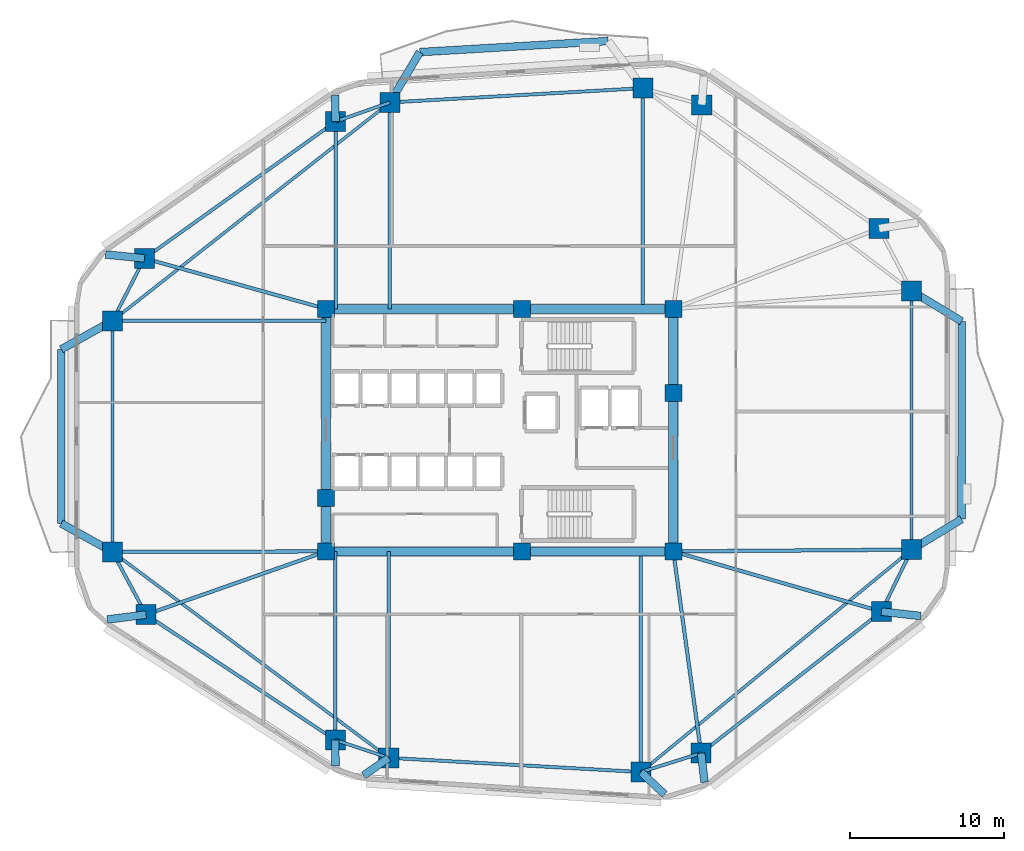
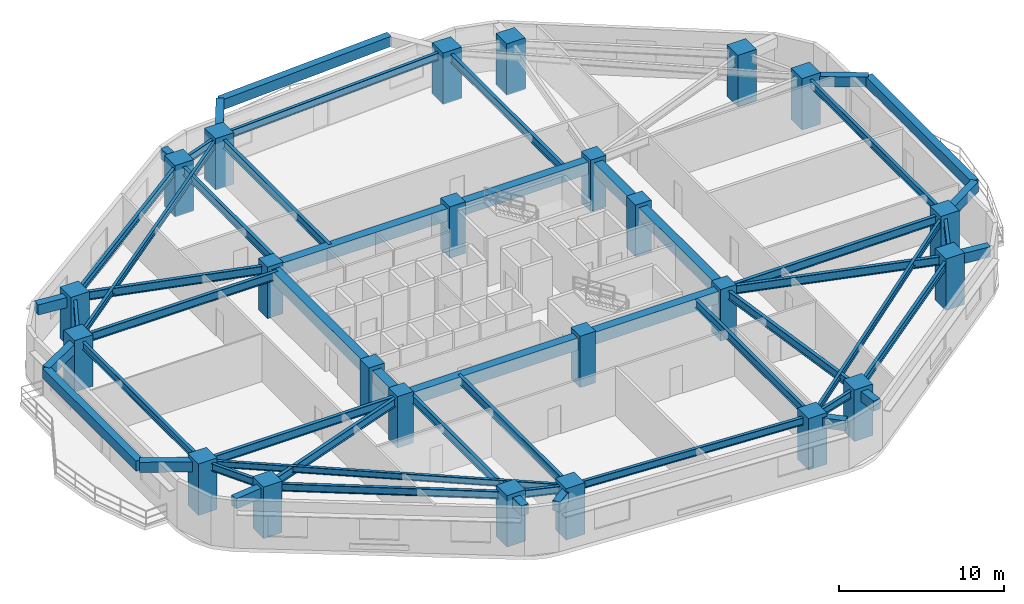
# One storey, part 1 of 9: 53 beams, 24 columns.
"""IFC4 building model written with IfcOpenShell, lengths in metres."""

from ifc_helpers import new_model, si_unit, direction, frame, origin, origin_2d, place, context, subcontext, project, spatial, rectangle, i_section, extrude, material, material_profile, profile_set, type_object, element, save


model = new_model("IFC4")

# Units and contexts
model_context = context("Model", 3, precision=1e-05, world=origin(), true_north=direction((0.0, 1.0)))
body_context = subcontext(model_context, "Body", "Model", "MODEL_VIEW")
ifc_project = project(units=[si_unit("LENGTHUNIT", "METRE"), si_unit("AREAUNIT", "SQUARE_METRE"), si_unit("VOLUMEUNIT", "CUBIC_METRE"), si_unit("PLANEANGLEUNIT", "RADIAN"), si_unit("MASSUNIT", "GRAM", prefix="KILO")], contexts=[model_context])

# Site, building, storey
site_placement = place(None, origin())
site = spatial("IfcSite", under=ifc_project, at=site_placement, CompositionType="ELEMENT")
building_placement = place(site_placement, origin())
building = spatial("IfcBuilding", under=site, at=building_placement, Name="Zulverin Broadcast Headquarters", CompositionType="ELEMENT")
storey_placement = place(building_placement, frame((0.0, 0.0, 63.0)))
storey = spatial("IfcBuildingStorey", under=building, at=storey_placement, Name="L15", CompositionType="ELEMENT", Elevation=63.0)

# Columns
ifc_material_1 = material(Name="Concrete C60/75", Category="concrete")
ifc_material_profile_1 = material_profile(ifc_material_1, rectangle(XDim=1.300048828125, YDim=1.300048828125, at=origin_2d()), Name="Concrete C60/75", Category="concrete")
ifc_profile_set_1 = profile_set([ifc_material_profile_1], Name="Concrete C60/75")
column_type_1 = type_object("IfcColumnType", Name="COL-RC-1300", PredefinedType="COLUMN", material=ifc_profile_set_1)
for number, where, z_axis, x_axis, name in (
    (1, (29.79638671875, 3.922119140625, 0.0), (0.0, 0.0, 1.0), (1.0, 0.0, 0.0), "L15 Perimeter Column T01"),
    (2, (46.175048828125, 2.997802734375, 0.0), (0.0, 0.0, 1.0), (1.0, 0.0, 0.0), "L15 Perimeter Column T02"),
    (3, (50.08056640625, 4.22509765625, 0.0), (0.0, 0.0, 1.0), (1.0, 0.0, 0.0), "L15 Perimeter Column T03"),
    (4, (61.79296875, 13.416259765625, 0.0), (0.0, 0.0, 1.0), (1.0, 0.0, 0.0), "L15 Perimeter Column T04"),
    (5, (63.75, 17.439697265625, 0.0), (0.0, 0.0, 1.0), (1.0, 0.0, 0.0), "L15 Perimeter Column T05"),
    (6, (63.75, 34.235107421875, 0.0), (0.0, 0.0, 1.0), (1.0, 0.0, 0.0), "L15 Perimeter Column T06"),
    (7, (61.630126953125, 38.298583984375, 0.0), (0.0, 0.0, 1.0), (1.0, 0.0, 0.0), "L15 Perimeter Column T07"),
    (8, (50.121826171875, 46.325927734375, 0.0), (0.0, 0.0, 1.0), (1.0, 0.0, 0.0), "L15 Perimeter Column T08"),
    (9, (46.30224609375, 47.4091796875, 0.0), (0.0, 0.0, 1.0), (1.0, 0.0, 0.0), "L15 Perimeter Column T09"),
    (10, (29.873779296875, 46.482177734375, 0.0), (0.0, 0.0, 1.0), (1.0, 0.0, 0.0), "L15 Perimeter Column T10"),
    (11, (26.344482421875, 45.23828125, 0.0), (0.0, 0.0, 1.0), (1.0, 0.0, 0.0), "L15 Perimeter Column T11"),
    (12, (13.934326171875, 36.353759765625, 0.0), (0.0, 0.0, 1.0), (1.0, 0.0, 0.0), "L15 Perimeter Column T12"),
    (13, (11.85009765625, 32.298095703125, 0.0), (0.0, 0.0, 1.0), (1.0, 0.0, 0.0), "L15 Perimeter Column T13"),
    (14, (11.85009765625, 17.297607421875, 0.0), (0.0, 0.0, 1.0), (1.0, 0.0, 0.0), "L15 Perimeter Column T14"),
    (15, (14.0390625, 13.219970703125, 0.0), (0.0, 0.0, 1.0), (1.0, 0.0, 0.0), "L15 Perimeter Column T15"),
    (16, (26.3251953125, 5.075927734375, 0.0), (0.0, 0.0, 1.0), (1.0, 0.0, 0.0), "L15 Perimeter Column T16"),
):
    element("IfcColumn", number, at=place(storey_placement, frame(where, z_axis=z_axis, x_axis=x_axis)), inside=storey, type_object=column_type_1, Name=name, PredefinedType="COLUMN", context=body_context, shape_type="SweptSolid", body=[
        extrude(rectangle(XDim=1.300048828125, YDim=1.300048828125, at=origin_2d()), origin(), (0.0, 0.0, 1.0), 3.800048828125),
    ])
ifc_material_profile_2 = material_profile(ifc_material_1, rectangle(XDim=1.10009765625, YDim=1.10009765625, at=origin_2d()), Name="Concrete C60/75", Category="concrete")
ifc_profile_set_2 = profile_set([ifc_material_profile_2], Name="Concrete C60/75")
column_type_2 = type_object("IfcColumnType", Name="PIL-RC-1100", PredefinedType="PILASTER", material=ifc_profile_set_2)
for number, where, z_axis, x_axis, name in (
    (17, (25.72509765625, 17.324951171875, 0.0), (0.0, 0.0, 1.0), (1.0, 0.0, 0.0), "L15 Core Pilaster K01"),
    (18, (38.449951171875, 17.324951171875, 0.0), (0.0, 0.0, 1.0), (1.0, 0.0, 0.0), "L15 Core Pilaster K02"),
    (19, (48.27490234375, 17.324951171875, 0.0), (0.0, 0.0, 1.0), (1.0, 0.0, 0.0), "L15 Core Pilaster K03"),
    (20, (48.27490234375, 27.6201171875, 0.0), (0.0, 0.0, 1.0), (1.0, 0.0, 0.0), "L15 Core Pilaster K04"),
    (21, (48.27490234375, 33.074951171875, 0.0), (0.0, 0.0, 1.0), (1.0, 0.0, 0.0), "L15 Core Pilaster K05"),
    (22, (38.449951171875, 33.074951171875, 0.0), (0.0, 0.0, 1.0), (1.0, 0.0, 0.0), "L15 Core Pilaster K06"),
    (23, (25.72509765625, 33.074951171875, 0.0), (0.0, 0.0, 1.0), (1.0, 0.0, 0.0), "L15 Core Pilaster K07"),
    (24, (25.72509765625, 20.800048828125, 0.0), (0.0, 0.0, 1.0), (1.0, 0.0, 0.0), "L15 Core Pilaster K08"),
):
    element("IfcColumn", number, at=place(storey_placement, frame(where, z_axis=z_axis, x_axis=x_axis)), inside=storey, type_object=column_type_2, Name=name, PredefinedType="PILASTER", context=body_context, shape_type="SweptSolid", body=[
        extrude(rectangle(XDim=1.10009765625, YDim=1.10009765625, at=origin_2d()), origin(), (0.0, 0.0, 1.0), 3.800048828125),
    ])

# Beams
ifc_material_profile_3 = material_profile(ifc_material_1, rectangle(XDim=0.60009765625, YDim=0.89990234375, at=origin_2d()), Name="Concrete C60/75", Category="concrete")
ifc_profile_set_3 = profile_set([ifc_material_profile_3], Name="Concrete C60/75")
beam_type_1 = type_object("IfcBeamType", Name="BM-CB-600x900", PredefinedType="LINTEL", material=ifc_profile_set_3)
beam_1_placement = place(storey_placement, frame((25.72509765625, 17.324951171875, 3.074951171875), z_axis=(1.0, 0.0, 0.0), x_axis=(0.0, 1.0, 0.0)))
element("IfcBeam", 25, at=beam_1_placement, inside=storey, type_object=beam_type_1, Name="L15 Core Coupling Girder K01-K02", PredefinedType="LINTEL", context=body_context, shape_type="SweptSolid", body=[
    extrude(rectangle(XDim=0.60009765625, YDim=0.89990234375, at=origin_2d()), origin(), (0.0, 0.0, 1.0), 12.724853515625),
])
beam_2_placement = place(storey_placement, frame((38.449951171875, 17.324951171875, 3.074951171875), z_axis=(1.0, 0.0, 0.0), x_axis=(0.0, 1.0, 0.0)))
element("IfcBeam", 26, at=beam_2_placement, inside=storey, type_object=beam_type_1, Name="L15 Core Coupling Girder K02-K03", PredefinedType="LINTEL", context=body_context, shape_type="SweptSolid", body=[
    extrude(rectangle(XDim=0.60009765625, YDim=0.89990234375, at=origin_2d()), origin(), (0.0, 0.0, 1.0), 9.824951171875),
])
beam_3_placement = place(storey_placement, frame((48.27490234375, 17.324951171875, 3.074951171875), z_axis=(0.0, 1.0, 0.0), x_axis=(-1.0, 0.0, 0.0)))
element("IfcBeam", 27, at=beam_3_placement, inside=storey, type_object=beam_type_1, Name="L15 Core Coupling Girder K03-K04", PredefinedType="LINTEL", context=body_context, shape_type="SweptSolid", body=[
    extrude(rectangle(XDim=0.60009765625, YDim=0.89990234375, at=origin_2d()), origin(), (0.0, 0.0, 1.0), 10.295166015625),
])
beam_4_placement = place(storey_placement, frame((48.27490234375, 27.6201171875, 3.074951171875), z_axis=(0.0, 1.0, 0.0), x_axis=(-1.0, 0.0, 0.0)))
element("IfcBeam", 28, at=beam_4_placement, inside=storey, type_object=beam_type_1, Name="L15 Core Coupling Girder K04-K05", PredefinedType="LINTEL", context=body_context, shape_type="SweptSolid", body=[
    extrude(rectangle(XDim=0.60009765625, YDim=0.89990234375, at=origin_2d()), origin(), (0.0, 0.0, 1.0), 5.454833984375),
])
beam_5_placement = place(storey_placement, frame((48.27490234375, 33.074951171875, 3.074951171875), z_axis=(-1.0, 0.0, 0.0), x_axis=(0.0, -1.0, 0.0)))
element("IfcBeam", 29, at=beam_5_placement, inside=storey, type_object=beam_type_1, Name="L15 Core Coupling Girder K05-K06", PredefinedType="LINTEL", context=body_context, shape_type="SweptSolid", body=[
    extrude(rectangle(XDim=0.60009765625, YDim=0.89990234375, at=origin_2d()), origin(), (0.0, 0.0, 1.0), 9.824951171875),
])
beam_6_placement = place(storey_placement, frame((38.449951171875, 33.074951171875, 3.074951171875), z_axis=(-1.0, 0.0, 0.0), x_axis=(0.0, -1.0, 0.0)))
element("IfcBeam", 30, at=beam_6_placement, inside=storey, type_object=beam_type_1, Name="L15 Core Coupling Girder K06-K07", PredefinedType="LINTEL", context=body_context, shape_type="SweptSolid", body=[
    extrude(rectangle(XDim=0.60009765625, YDim=0.89990234375, at=origin_2d()), origin(), (0.0, 0.0, 1.0), 12.724853515625),
])
beam_7_placement = place(storey_placement, frame((25.72509765625, 33.074951171875, 3.074951171875), z_axis=(0.0, -1.0, 0.0), x_axis=(1.0, 0.0, 0.0)))
element("IfcBeam", 31, at=beam_7_placement, inside=storey, type_object=beam_type_1, Name="L15 Core Coupling Girder K07-K08", PredefinedType="LINTEL", context=body_context, shape_type="SweptSolid", body=[
    extrude(rectangle(XDim=0.60009765625, YDim=0.89990234375, at=origin_2d()), origin(), (0.0, 0.0, 1.0), 12.27490234375),
])
beam_8_placement = place(storey_placement, frame((25.72509765625, 20.800048828125, 3.074951171875), z_axis=(0.0, -1.0, 0.0), x_axis=(1.0, 0.0, 0.0)))
element("IfcBeam", 32, at=beam_8_placement, inside=storey, type_object=beam_type_1, Name="L15 Core Coupling Girder K08-K01", PredefinedType="LINTEL", context=body_context, shape_type="SweptSolid", body=[
    extrude(rectangle(XDim=0.60009765625, YDim=0.89990234375, at=origin_2d()), origin(), (0.0, 0.0, 1.0), 3.47509765625),
])
ifc_material_2 = material(Name="Concrete C40/50", Category="concrete")
ifc_material_profile_4 = material_profile(ifc_material_2, rectangle(XDim=0.5, YDim=0.75, at=origin_2d()), Name="Concrete C40/50", Category="concrete")
ifc_profile_set_4 = profile_set([ifc_material_profile_4], Name="Concrete C40/50")
beam_type_2 = type_object("IfcBeamType", Name="BM-RC-500x750", PredefinedType="BEAM", material=ifc_profile_set_4)
beam_9_placement = place(storey_placement, frame((29.79638671875, 3.922119140625, 3.14990234375), z_axis=(-0.817789251944, -0.575517801119, 0.0), x_axis=(0.575517801119, -0.817789251944, 0.0)))
element("IfcBeam", 33, at=beam_9_placement, inside=storey, type_object=beam_type_2, Name="L16 Plate Overhang Back-Spanned Beam OVR-01", PredefinedType="BEAM", context=body_context, shape_type="SweptSolid", body=[
    extrude(rectangle(XDim=0.5, YDim=0.75, at=origin_2d()), origin(), (0.0, 0.0, 1.0), 1.983154296875),
])
beam_10_placement = place(storey_placement, frame((46.175048828125, 2.997802734375, 3.14990234375), z_axis=(0.727711332613, -0.685883529754, 0.0), x_axis=(0.685883529754, 0.727711332613, 0.0)))
element("IfcBeam", 34, at=beam_10_placement, inside=storey, type_object=beam_type_2, Name="L16 Plate Overhang Back-Spanned Beam OVR-02", PredefinedType="BEAM", context=body_context, shape_type="SweptSolid", body=[
    extrude(rectangle(XDim=0.5, YDim=0.75, at=origin_2d()), origin(), (0.0, 0.0, 1.0), 2.113037109375),
])
beam_11_placement = place(storey_placement, frame((50.08056640625, 4.22509765625, 3.14990234375), z_axis=(0.115916621896, -0.99325894749, 0.0), x_axis=(0.99325894749, 0.115916621896, 0.0)))
element("IfcBeam", 35, at=beam_11_placement, inside=storey, type_object=beam_type_2, Name="L16 Plate Overhang Back-Spanned Beam OVR-03", PredefinedType="BEAM", context=body_context, shape_type="SweptSolid", body=[
    extrude(rectangle(XDim=0.5, YDim=0.75, at=origin_2d()), origin(), (0.0, 0.0, 1.0), 1.899658203125),
])
beam_12_placement = place(storey_placement, frame((61.79296875, 13.416259765625, 3.14990234375), z_axis=(0.993797661948, -0.111203449166, 0.0), x_axis=(0.111203449166, 0.993797661948, 0.0)))
element("IfcBeam", 36, at=beam_12_placement, inside=storey, type_object=beam_type_2, Name="L16 Plate Overhang Back-Spanned Beam OVR-04", PredefinedType="BEAM", context=body_context, shape_type="SweptSolid", body=[
    extrude(rectangle(XDim=0.5, YDim=0.75, at=origin_2d()), origin(), (0.0, 0.0, 1.0), 2.568603515625),
])
beam_13_placement = place(storey_placement, frame((26.344482421875, 45.23828125, 3.14990234375), z_axis=(-0.025024345209, 0.999686842039, 0.0), x_axis=(-0.999686842039, -0.025024345209, 0.0)))
element("IfcBeam", 37, at=beam_13_placement, inside=storey, type_object=beam_type_2, Name="L16 Plate Overhang Back-Spanned Beam OVR-11", PredefinedType="BEAM", context=body_context, shape_type="SweptSolid", body=[
    extrude(rectangle(XDim=0.5, YDim=0.75, at=origin_2d()), origin(), (0.0, 0.0, 1.0), 1.707275390625),
])
beam_14_placement = place(storey_placement, frame((13.934326171875, 36.353759765625, 3.14990234375), z_axis=(-0.995008621602, 0.09978899207, 0.0), x_axis=(-0.09978899207, -0.995008621602, 0.0)))
element("IfcBeam", 38, at=beam_14_placement, inside=storey, type_object=beam_type_2, Name="L16 Plate Overhang Back-Spanned Beam OVR-12", PredefinedType="BEAM", context=body_context, shape_type="SweptSolid", body=[
    extrude(rectangle(XDim=0.5, YDim=0.75, at=origin_2d()), origin(), (0.0, 0.0, 1.0), 2.5419921875),
])
beam_15_placement = place(storey_placement, frame((14.0390625, 13.219970703125, 3.14990234375), z_axis=(-0.992258640565, -0.124188526941, 0.0), x_axis=(0.124188526941, -0.992258640565, 0.0)))
element("IfcBeam", 39, at=beam_15_placement, inside=storey, type_object=beam_type_2, Name="L16 Plate Overhang Back-Spanned Beam OVR-15", PredefinedType="BEAM", context=body_context, shape_type="SweptSolid", body=[
    extrude(rectangle(XDim=0.5, YDim=0.75, at=origin_2d()), origin(), (0.0, 0.0, 1.0), 2.5400390625),
])
beam_16_placement = place(storey_placement, frame((26.3251953125, 5.075927734375, 3.14990234375), z_axis=(0.006204786761, -0.999980750125, 0.0), x_axis=(0.999980750125, 0.006204786761, 0.0)))
element("IfcBeam", 40, at=beam_16_placement, inside=storey, type_object=beam_type_2, Name="L16 Plate Overhang Back-Spanned Beam OVR-16", PredefinedType="BEAM", context=body_context, shape_type="SweptSolid", body=[
    extrude(rectangle(XDim=0.5, YDim=0.75, at=origin_2d()), origin(), (0.0, 0.0, 1.0), 1.69189453125),
])
for number, where, z_axis, x_axis, name in (
    (41, (63.75, 17.439697265625, 3.14990234375), (0.853769010652, 0.520651972483, 0.0), (-0.520651972483, 0.853769010652, 0.0), "L16 Balcony Column-Framed Cantilever BAL_E-1"),
    (42, (63.75, 34.235107421875, 3.14990234375), (0.855593685746, -0.517647993246, 0.0), (0.517647993246, 0.855593685746, 0.0), "L16 Balcony Column-Framed Cantilever BAL_E-2"),
):
    element("IfcBeam", number, at=place(storey_placement, frame(where, z_axis=z_axis, x_axis=x_axis)), inside=storey, type_object=beam_type_2, Name=name, PredefinedType="BEAM", context=body_context, shape_type="SweptSolid", body=[
        extrude(rectangle(XDim=0.5, YDim=0.75, at=origin_2d()), origin(), (0.0, 0.0, 1.0), 3.800048828125),
    ])
beam_17_placement = place(storey_placement, frame((66.994384765625, 19.418212890625, 3.14990234375), z_axis=(0.000531985561, 0.999999858496, 0.0), x_axis=(-0.999999858496, 0.000531985561, 0.0)))
element("IfcBeam", 43, at=beam_17_placement, inside=storey, type_object=beam_type_2, Name="L16 Balcony Outer Edge Trimmer Beam BAL_E", PredefinedType="BEAM", context=body_context, shape_type="SweptSolid", body=[
    extrude(rectangle(XDim=0.5, YDim=0.75, at=origin_2d()), origin(), (0.0, 0.0, 1.0), 12.849853515625),
])
beam_18_placement = place(storey_placement, frame((29.873779296875, 46.482177734375, 3.14990234375), z_axis=(0.511024077234, 0.859566397952, 0.0), x_axis=(-0.859566397952, 0.511024077234, 0.0)))
element("IfcBeam", 44, at=beam_18_placement, inside=storey, type_object=beam_type_2, Name="L16 Balcony Column-Framed Cantilever BAL_N-2", PredefinedType="BEAM", context=body_context, shape_type="SweptSolid", body=[
    extrude(rectangle(XDim=0.5, YDim=0.75, at=origin_2d()), origin(), (0.0, 0.0, 1.0), 3.800048828125),
])
beam_19_placement = place(storey_placement, frame((44.049072265625, 50.46923828125, 3.14990234375), z_axis=(-0.998269148199, -0.058810779227, 0.0), x_axis=(0.058810779227, -0.998269148199, 0.0)))
element("IfcBeam", 45, at=beam_19_placement, inside=storey, type_object=beam_type_2, Name="L16 Balcony Outer Edge Trimmer Beam BAL_N", PredefinedType="BEAM", context=body_context, shape_type="SweptSolid", body=[
    extrude(rectangle(XDim=0.5, YDim=0.75, at=origin_2d()), origin(), (0.0, 0.0, 1.0), 12.254638671875),
])
beam_20_placement = place(storey_placement, frame((11.85009765625, 32.298095703125, 3.14990234375), z_axis=(-0.873763019306, -0.486351915893, 0.0), x_axis=(0.486351915893, -0.873763019306, 0.0)))
element("IfcBeam", 46, at=beam_20_placement, inside=storey, type_object=beam_type_2, Name="L16 Balcony Column-Framed Cantilever BAL_W-1", PredefinedType="BEAM", context=body_context, shape_type="SweptSolid", body=[
    extrude(rectangle(XDim=0.5, YDim=0.75, at=origin_2d()), origin(), (0.0, 0.0, 1.0), 3.800048828125),
])
beam_21_placement = place(storey_placement, frame((11.85009765625, 17.297607421875, 3.14990234375), z_axis=(-0.874363278793, 0.485271940975, 0.0), x_axis=(-0.485271940975, -0.874363278793, 0.0)))
element("IfcBeam", 47, at=beam_21_placement, inside=storey, type_object=beam_type_2, Name="L16 Balcony Column-Framed Cantilever BAL_W-2", PredefinedType="BEAM", context=body_context, shape_type="SweptSolid", body=[
    extrude(rectangle(XDim=0.5, YDim=0.75, at=origin_2d()), origin(), (0.0, 0.0, 1.0), 3.7998046875),
])
beam_22_placement = place(storey_placement, frame((8.52978515625, 30.449951171875, 3.14990234375), z_axis=(-0.000194304709, -0.999999981123, 0.0), x_axis=(0.999999981123, -0.000194304709, 0.0)))
element("IfcBeam", 48, at=beam_22_placement, inside=storey, type_object=beam_type_2, Name="L16 Balcony Outer Edge Trimmer Beam BAL_W", PredefinedType="BEAM", context=body_context, shape_type="SweptSolid", body=[
    extrude(rectangle(XDim=0.5, YDim=0.75, at=origin_2d()), origin(), (0.0, 0.0, 1.0), 11.308349609375),
])
ifc_material_3 = material(Name="Structural steel S355JR", Category="steel")
ifc_material_profile_5 = material_profile(ifc_material_3, i_section(OverallWidth=0.19287109375, OverallDepth=0.46728515625, WebThickness=0.011474609375, FlangeThickness=0.01953125, at=origin_2d()), Name="Structural steel S355JR", Category="steel")
ifc_profile_set_5 = profile_set([ifc_material_profile_5], Name="Structural steel S355JR")
beam_type_3 = type_object("IfcBeamType", Name="BM-UB-457", PredefinedType="JOIST", material=ifc_profile_set_5)
beam_23_placement = place(storey_placement, frame((46.175048828125, 2.997802734375, 3.29150390625), z_axis=(0.772611370623, 0.634879256224, 0.0), x_axis=(-0.634879256224, 0.772611370623, 0.0)))
element("IfcBeam", 49, at=beam_23_placement, inside=storey, type_object=beam_type_3, Name="L15 Chordal Floor Joist J-01", PredefinedType="JOIST", context=body_context, shape_type="SweptSolid", body=[
    extrude(i_section(OverallWidth=0.19287109375, OverallDepth=0.46728515625, WebThickness=0.011474609375, FlangeThickness=0.01953125, at=origin_2d()), origin(), (0.0, 0.0, 1.0), 22.74755859375),
])
beam_24_placement = place(storey_placement, frame((29.873779296875, 46.482177734375, 3.29150390625), z_axis=(-0.78583902739, -0.618431098047, 0.0), x_axis=(0.618431098047, -0.78583902739, 0.0)))
element("IfcBeam", 50, at=beam_24_placement, inside=storey, type_object=beam_type_3, Name="L15 Chordal Floor Joist J-03", PredefinedType="JOIST", context=body_context, shape_type="SweptSolid", body=[
    extrude(i_section(OverallWidth=0.19287109375, OverallDepth=0.46728515625, WebThickness=0.011474609375, FlangeThickness=0.01953125, at=origin_2d()), origin(), (0.0, 0.0, 1.0), 22.935546875),
])
beam_25_placement = place(storey_placement, frame((11.85009765625, 17.297607421875, 3.29150390625), z_axis=(0.801802688634, -0.59758886243, 0.0), x_axis=(0.59758886243, 0.801802688634, 0.0)))
element("IfcBeam", 51, at=beam_25_placement, inside=storey, type_object=beam_type_3, Name="L15 Chordal Floor Joist J-04", PredefinedType="JOIST", context=body_context, shape_type="SweptSolid", body=[
    extrude(i_section(OverallWidth=0.19287109375, OverallDepth=0.46728515625, WebThickness=0.011474609375, FlangeThickness=0.01953125, at=origin_2d()), origin(), (0.0, 0.0, 1.0), 22.38232421875),
])
ifc_material_profile_6 = material_profile(ifc_material_3, i_section(OverallWidth=0.2119140625, OverallDepth=0.54443359375, WebThickness=0.0126953125, FlangeThickness=0.021240234375, at=origin_2d()), Name="Structural steel S355JR", Category="steel")
ifc_profile_set_6 = profile_set([ifc_material_profile_6], Name="Structural steel S355JR")
beam_type_4 = type_object("IfcBeamType", Name="BM-UB-533", PredefinedType="SPANDREL", material=ifc_profile_set_6)
beam_26_placement = place(storey_placement, frame((29.79638671875, 3.922119140625, 3.252685546875), z_axis=(0.998411385104, -0.056344530297, 0.0), x_axis=(0.056344530297, 0.998411385104, 0.0)))
element("IfcBeam", 52, at=beam_26_placement, inside=storey, type_object=beam_type_4, Name="L15 Perimeter Spandrel Beam SP-01", PredefinedType="SPANDREL", context=body_context, shape_type="SweptSolid", body=[
    extrude(i_section(OverallWidth=0.2119140625, OverallDepth=0.54443359375, WebThickness=0.0126953125, FlangeThickness=0.021240234375, at=origin_2d()), origin(), (0.0, 0.0, 1.0), 16.40478515625),
])
beam_27_placement = place(storey_placement, frame((46.175048828125, 2.997802734375, 3.252685546875), z_axis=(0.954004438448, 0.299792480595, 0.0), x_axis=(-0.299792480595, 0.954004438448, 0.0)))
element("IfcBeam", 53, at=beam_27_placement, inside=storey, type_object=beam_type_4, Name="L15 Perimeter Spandrel Beam SP-02", PredefinedType="SPANDREL", context=body_context, shape_type="SweptSolid", body=[
    extrude(i_section(OverallWidth=0.2119140625, OverallDepth=0.54443359375, WebThickness=0.0126953125, FlangeThickness=0.021240234375, at=origin_2d()), origin(), (0.0, 0.0, 1.0), 4.09375),
])
beam_28_placement = place(storey_placement, frame((50.08056640625, 4.22509765625, 3.252685546875), z_axis=(0.786691476208, 0.617346354376, 0.0), x_axis=(-0.617346354376, 0.786691476208, 0.0)))
element("IfcBeam", 54, at=beam_28_placement, inside=storey, type_object=beam_type_4, Name="L15 Perimeter Spandrel Beam SP-03", PredefinedType="SPANDREL", context=body_context, shape_type="SweptSolid", body=[
    extrude(i_section(OverallWidth=0.2119140625, OverallDepth=0.54443359375, WebThickness=0.0126953125, FlangeThickness=0.021240234375, at=origin_2d()), origin(), (0.0, 0.0, 1.0), 14.88818359375),
])
beam_29_placement = place(storey_placement, frame((61.79296875, 13.416259765625, 3.252685546875), z_axis=(0.437408475872, 0.899262934428, 0.0), x_axis=(-0.899262934428, 0.437408475872, 0.0)))
element("IfcBeam", 55, at=beam_29_placement, inside=storey, type_object=beam_type_4, Name="L15 Perimeter Spandrel Beam SP-04", PredefinedType="SPANDREL", context=body_context, shape_type="SweptSolid", body=[
    extrude(i_section(OverallWidth=0.2119140625, OverallDepth=0.54443359375, WebThickness=0.0126953125, FlangeThickness=0.021240234375, at=origin_2d()), origin(), (0.0, 0.0, 1.0), 4.47412109375),
])
beam_30_placement = place(storey_placement, frame((63.75, 17.439697265625, 3.252685546875), z_axis=(0.0, 1.0, 0.0), x_axis=(-1.0, 0.0, 0.0)))
element("IfcBeam", 56, at=beam_30_placement, inside=storey, type_object=beam_type_4, Name="L15 Perimeter Spandrel Beam SP-05", PredefinedType="SPANDREL", context=body_context, shape_type="SweptSolid", body=[
    extrude(i_section(OverallWidth=0.2119140625, OverallDepth=0.54443359375, WebThickness=0.0126953125, FlangeThickness=0.021240234375, at=origin_2d()), origin(), (0.0, 0.0, 1.0), 16.79541015625),
])
beam_31_placement = place(storey_placement, frame((46.30224609375, 47.4091796875, 3.252685546875), z_axis=(-0.998411812904, -0.056336949274, 0.0), x_axis=(0.056336949274, -0.998411812904, 0.0)))
element("IfcBeam", 57, at=beam_31_placement, inside=storey, type_object=beam_type_4, Name="L15 Perimeter Spandrel Beam SP-09", PredefinedType="SPANDREL", context=body_context, shape_type="SweptSolid", body=[
    extrude(i_section(OverallWidth=0.2119140625, OverallDepth=0.54443359375, WebThickness=0.0126953125, FlangeThickness=0.021240234375, at=origin_2d()), origin(), (0.0, 0.0, 1.0), 16.45458984375),
])
beam_32_placement = place(storey_placement, frame((29.873779296875, 46.482177734375, 3.252685546875), z_axis=(-0.943135983398, -0.332407155189, 0.0), x_axis=(0.332407155189, -0.943135983398, 0.0)))
element("IfcBeam", 58, at=beam_32_placement, inside=storey, type_object=beam_type_4, Name="L15 Perimeter Spandrel Beam SP-10", PredefinedType="SPANDREL", context=body_context, shape_type="SweptSolid", body=[
    extrude(i_section(OverallWidth=0.2119140625, OverallDepth=0.54443359375, WebThickness=0.0126953125, FlangeThickness=0.021240234375, at=origin_2d()), origin(), (0.0, 0.0, 1.0), 3.7421875),
])
beam_33_placement = place(storey_placement, frame((26.344482421875, 45.23828125, 3.252685546875), z_axis=(-0.813109374453, -0.582110938891, 0.0), x_axis=(0.582110938891, -0.813109374453, 0.0)))
element("IfcBeam", 59, at=beam_33_placement, inside=storey, type_object=beam_type_4, Name="L15 Perimeter Spandrel Beam SP-11", PredefinedType="SPANDREL", context=body_context, shape_type="SweptSolid", body=[
    extrude(i_section(OverallWidth=0.2119140625, OverallDepth=0.54443359375, WebThickness=0.0126953125, FlangeThickness=0.021240234375, at=origin_2d()), origin(), (0.0, 0.0, 1.0), 15.2626953125),
])
beam_34_placement = place(storey_placement, frame((13.934326171875, 36.353759765625, 3.252685546875), z_axis=(-0.457080631948, -0.889425261558, 0.0), x_axis=(0.889425261558, -0.457080631948, 0.0)))
element("IfcBeam", 60, at=beam_34_placement, inside=storey, type_object=beam_type_4, Name="L15 Perimeter Spandrel Beam SP-12", PredefinedType="SPANDREL", context=body_context, shape_type="SweptSolid", body=[
    extrude(i_section(OverallWidth=0.2119140625, OverallDepth=0.54443359375, WebThickness=0.0126953125, FlangeThickness=0.021240234375, at=origin_2d()), origin(), (0.0, 0.0, 1.0), 4.559814453125),
])
beam_35_placement = place(storey_placement, frame((11.85009765625, 32.298095703125, 3.252685546875), z_axis=(0.0, -1.0, 0.0), x_axis=(1.0, 0.0, 0.0)))
element("IfcBeam", 61, at=beam_35_placement, inside=storey, type_object=beam_type_4, Name="L15 Perimeter Spandrel Beam SP-13", PredefinedType="SPANDREL", context=body_context, shape_type="SweptSolid", body=[
    extrude(i_section(OverallWidth=0.2119140625, OverallDepth=0.54443359375, WebThickness=0.0126953125, FlangeThickness=0.021240234375, at=origin_2d()), origin(), (0.0, 0.0, 1.0), 15.00048828125),
])
beam_36_placement = place(storey_placement, frame((11.85009765625, 17.297607421875, 3.252685546875), z_axis=(0.472979536362, -0.881073412482, 0.0), x_axis=(0.881073412482, 0.472979536362, 0.0)))
element("IfcBeam", 62, at=beam_36_placement, inside=storey, type_object=beam_type_4, Name="L15 Perimeter Spandrel Beam SP-14", PredefinedType="SPANDREL", context=body_context, shape_type="SweptSolid", body=[
    extrude(i_section(OverallWidth=0.2119140625, OverallDepth=0.54443359375, WebThickness=0.0126953125, FlangeThickness=0.021240234375, at=origin_2d()), origin(), (0.0, 0.0, 1.0), 4.6279296875),
])
beam_37_placement = place(storey_placement, frame((14.0390625, 13.219970703125, 3.252685546875), z_axis=(0.833510030956, -0.552504324232, 0.0), x_axis=(0.552504324232, 0.833510030956, 0.0)))
element("IfcBeam", 63, at=beam_37_placement, inside=storey, type_object=beam_type_4, Name="L15 Perimeter Spandrel Beam SP-15", PredefinedType="SPANDREL", context=body_context, shape_type="SweptSolid", body=[
    extrude(i_section(OverallWidth=0.2119140625, OverallDepth=0.54443359375, WebThickness=0.0126953125, FlangeThickness=0.021240234375, at=origin_2d()), origin(), (0.0, 0.0, 1.0), 14.740234375),
])
beam_38_placement = place(storey_placement, frame((26.3251953125, 5.075927734375, 3.252685546875), z_axis=(0.948949931395, -0.315426739047, 0.0), x_axis=(0.315426739047, 0.948949931395, 0.0)))
element("IfcBeam", 64, at=beam_38_placement, inside=storey, type_object=beam_type_4, Name="L15 Perimeter Spandrel Beam SP-16", PredefinedType="SPANDREL", context=body_context, shape_type="SweptSolid", body=[
    extrude(i_section(OverallWidth=0.2119140625, OverallDepth=0.54443359375, WebThickness=0.0126953125, FlangeThickness=0.021240234375, at=origin_2d()), origin(), (0.0, 0.0, 1.0), 3.657958984375),
])
ifc_material_profile_7 = material_profile(ifc_material_3, i_section(OverallWidth=0.230224609375, OverallDepth=0.6171875, WebThickness=0.01318359375, FlangeThickness=0.022216796875, at=origin_2d()), Name="Structural steel S355JR", Category="steel")
ifc_profile_set_7 = profile_set([ifc_material_profile_7], Name="Structural steel S355JR")
beam_type_5 = type_object("IfcBeamType", Name="BM-UB-610", PredefinedType="BEAM", material=ifc_profile_set_7)
beam_39_placement = place(storey_placement, frame((29.79638671875, 17.324951171875, 3.21630859375), z_axis=(0.0, -1.0, 0.0), x_axis=(1.0, 0.0, 0.0)))
element("IfcBeam", 65, at=beam_39_placement, inside=storey, type_object=beam_type_5, Name="L15 Radial Primary Floor Beam RB-01", PredefinedType="BEAM", context=body_context, shape_type="SweptSolid", body=[
    extrude(i_section(OverallWidth=0.230224609375, OverallDepth=0.6171875, WebThickness=0.01318359375, FlangeThickness=0.022216796875, at=origin_2d()), origin(), (0.0, 0.0, 1.0), 13.40283203125),
])
beam_40_placement = place(storey_placement, frame((46.175048828125, 17.324951171875, 3.21630859375), z_axis=(0.0, -1.0, 0.0), x_axis=(1.0, 0.0, 0.0)))
element("IfcBeam", 66, at=beam_40_placement, inside=storey, type_object=beam_type_5, Name="L15 Radial Primary Floor Beam RB-02", PredefinedType="BEAM", context=body_context, shape_type="SweptSolid", body=[
    extrude(i_section(OverallWidth=0.230224609375, OverallDepth=0.6171875, WebThickness=0.01318359375, FlangeThickness=0.022216796875, at=origin_2d()), origin(), (0.0, 0.0, 1.0), 14.3271484375),
])
beam_41_placement = place(storey_placement, frame((48.27490234375, 17.324951171875, 3.21630859375), z_axis=(0.136547433081, -0.990633533916, 0.0), x_axis=(0.990633533916, 0.136547433081, 0.0)))
element("IfcBeam", 67, at=beam_41_placement, inside=storey, type_object=beam_type_5, Name="L15 Radial Primary Floor Beam RB-03", PredefinedType="BEAM", context=body_context, shape_type="SweptSolid", body=[
    extrude(i_section(OverallWidth=0.230224609375, OverallDepth=0.6171875, WebThickness=0.01318359375, FlangeThickness=0.022216796875, at=origin_2d()), origin(), (0.0, 0.0, 1.0), 13.2236328125),
])
beam_42_placement = place(storey_placement, frame((48.27490234375, 17.324951171875, 3.21630859375), z_axis=(0.960648363311, -0.277767388416, 0.0), x_axis=(0.277767388416, 0.960648363311, 0.0)))
element("IfcBeam", 68, at=beam_42_placement, inside=storey, type_object=beam_type_5, Name="L15 Radial Primary Floor Beam RB-04", PredefinedType="BEAM", context=body_context, shape_type="SweptSolid", body=[
    extrude(i_section(OverallWidth=0.230224609375, OverallDepth=0.6171875, WebThickness=0.01318359375, FlangeThickness=0.022216796875, at=origin_2d()), origin(), (0.0, 0.0, 1.0), 14.07177734375),
])
beam_43_placement = place(storey_placement, frame((48.27490234375, 17.324951171875, 3.21630859375), z_axis=(0.999972510862, 0.007414682739, 0.0), x_axis=(-0.007414682739, 0.999972510862, 0.0)))
element("IfcBeam", 69, at=beam_43_placement, inside=storey, type_object=beam_type_5, Name="L15 Radial Primary Floor Beam RB-05", PredefinedType="BEAM", context=body_context, shape_type="SweptSolid", body=[
    extrude(i_section(OverallWidth=0.230224609375, OverallDepth=0.6171875, WebThickness=0.01318359375, FlangeThickness=0.022216796875, at=origin_2d()), origin(), (0.0, 0.0, 1.0), 15.4755859375),
])
beam_44_placement = place(storey_placement, frame((46.30224609375, 33.074951171875, 3.21630859375), z_axis=(0.0, 1.0, 0.0), x_axis=(-1.0, 0.0, 0.0)))
element("IfcBeam", 70, at=beam_44_placement, inside=storey, type_object=beam_type_5, Name="L15 Radial Primary Floor Beam RB-09", PredefinedType="BEAM", context=body_context, shape_type="SweptSolid", body=[
    extrude(i_section(OverallWidth=0.230224609375, OverallDepth=0.6171875, WebThickness=0.01318359375, FlangeThickness=0.022216796875, at=origin_2d()), origin(), (0.0, 0.0, 1.0), 14.334228515625),
])
beam_45_placement = place(storey_placement, frame((29.873779296875, 33.074951171875, 3.21630859375), z_axis=(0.0, 1.0, 0.0), x_axis=(-1.0, 0.0, 0.0)))
element("IfcBeam", 71, at=beam_45_placement, inside=storey, type_object=beam_type_5, Name="L15 Radial Primary Floor Beam RB-10", PredefinedType="BEAM", context=body_context, shape_type="SweptSolid", body=[
    extrude(i_section(OverallWidth=0.230224609375, OverallDepth=0.6171875, WebThickness=0.01318359375, FlangeThickness=0.022216796875, at=origin_2d()), origin(), (0.0, 0.0, 1.0), 13.4072265625),
])
beam_46_placement = place(storey_placement, frame((26.344482421875, 33.074951171875, 3.21630859375), z_axis=(0.0, 1.0, 0.0), x_axis=(-1.0, 0.0, 0.0)))
element("IfcBeam", 72, at=beam_46_placement, inside=storey, type_object=beam_type_5, Name="L15 Radial Primary Floor Beam RB-11", PredefinedType="BEAM", context=body_context, shape_type="SweptSolid", body=[
    extrude(i_section(OverallWidth=0.230224609375, OverallDepth=0.6171875, WebThickness=0.01318359375, FlangeThickness=0.022216796875, at=origin_2d()), origin(), (0.0, 0.0, 1.0), 12.163330078125),
])
beam_47_placement = place(storey_placement, frame((25.72509765625, 33.074951171875, 3.21630859375), z_axis=(-0.963442133037, 0.267916509922, 0.0), x_axis=(-0.267916509922, -0.963442133037, 0.0)))
element("IfcBeam", 73, at=beam_47_placement, inside=storey, type_object=beam_type_5, Name="L15 Radial Primary Floor Beam RB-12", PredefinedType="BEAM", context=body_context, shape_type="SweptSolid", body=[
    extrude(i_section(OverallWidth=0.230224609375, OverallDepth=0.6171875, WebThickness=0.01318359375, FlangeThickness=0.022216796875, at=origin_2d()), origin(), (0.0, 0.0, 1.0), 12.23828125),
])
for number, where, z_axis, x_axis, name in (
    (74, (25.72509765625, 32.298095703125, 3.21630859375), (-1.0, 0.0, 0.0), (0.0, -1.0, 0.0), "L15 Radial Primary Floor Beam RB-13"),
    (75, (25.72509765625, 17.324951171875, 3.21630859375), (-0.999998058136, -0.001970716894, 0.0), (0.001970716894, -0.999998058136, 0.0), "L15 Radial Primary Floor Beam RB-14"),
):
    element("IfcBeam", number, at=place(storey_placement, frame(where, z_axis=z_axis, x_axis=x_axis)), inside=storey, type_object=beam_type_5, Name=name, PredefinedType="BEAM", context=body_context, shape_type="SweptSolid", body=[
        extrude(i_section(OverallWidth=0.230224609375, OverallDepth=0.6171875, WebThickness=0.01318359375, FlangeThickness=0.022216796875, at=origin_2d()), origin(), (0.0, 0.0, 1.0), 13.875),
    ])
beam_48_placement = place(storey_placement, frame((25.72509765625, 17.324951171875, 3.21630859375), z_axis=(-0.943483462345, -0.331419607569, 0.0), x_axis=(0.331419607569, -0.943483462345, 0.0)))
element("IfcBeam", 76, at=beam_48_placement, inside=storey, type_object=beam_type_5, Name="L15 Radial Primary Floor Beam RB-15", PredefinedType="BEAM", context=body_context, shape_type="SweptSolid", body=[
    extrude(i_section(OverallWidth=0.230224609375, OverallDepth=0.6171875, WebThickness=0.01318359375, FlangeThickness=0.022216796875, at=origin_2d()), origin(), (0.0, 0.0, 1.0), 12.385986328125),
])
beam_49_placement = place(storey_placement, frame((26.3251953125, 17.324951171875, 3.21630859375), z_axis=(0.0, -1.0, 0.0), x_axis=(1.0, 0.0, 0.0)))
element("IfcBeam", 77, at=beam_49_placement, inside=storey, type_object=beam_type_5, Name="L15 Radial Primary Floor Beam RB-16", PredefinedType="BEAM", context=body_context, shape_type="SweptSolid", body=[
    extrude(i_section(OverallWidth=0.230224609375, OverallDepth=0.6171875, WebThickness=0.01318359375, FlangeThickness=0.022216796875, at=origin_2d()), origin(), (0.0, 0.0, 1.0), 12.2490234375),
])

save(model, "model.ifc")
